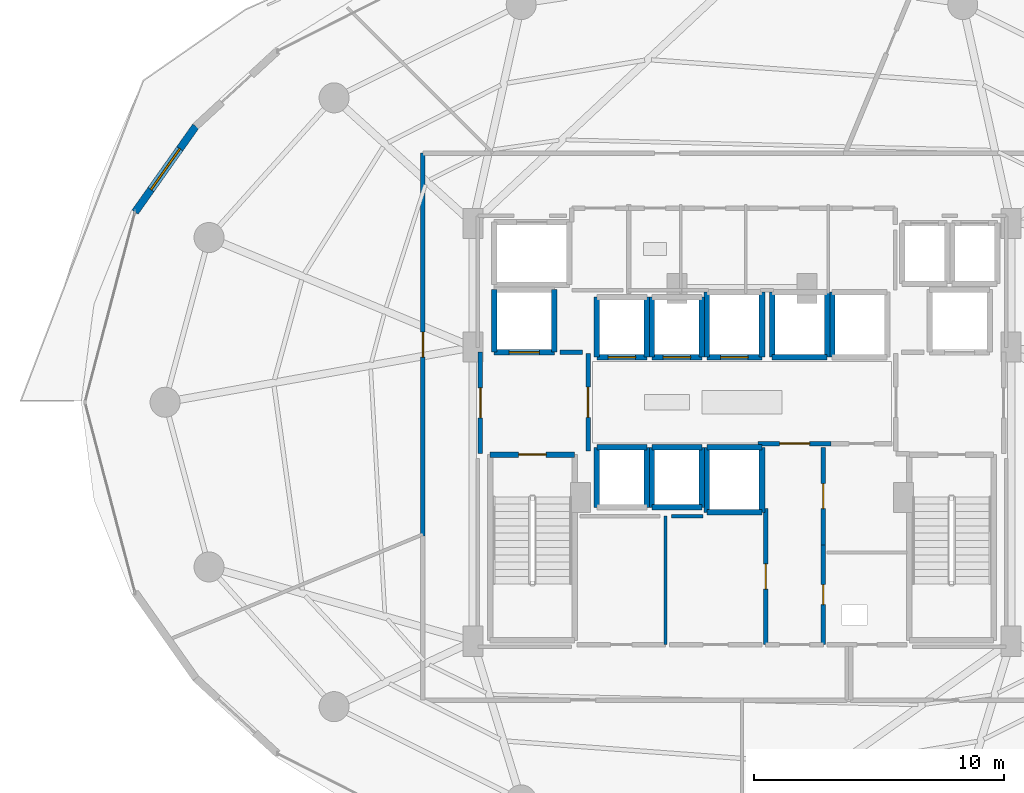
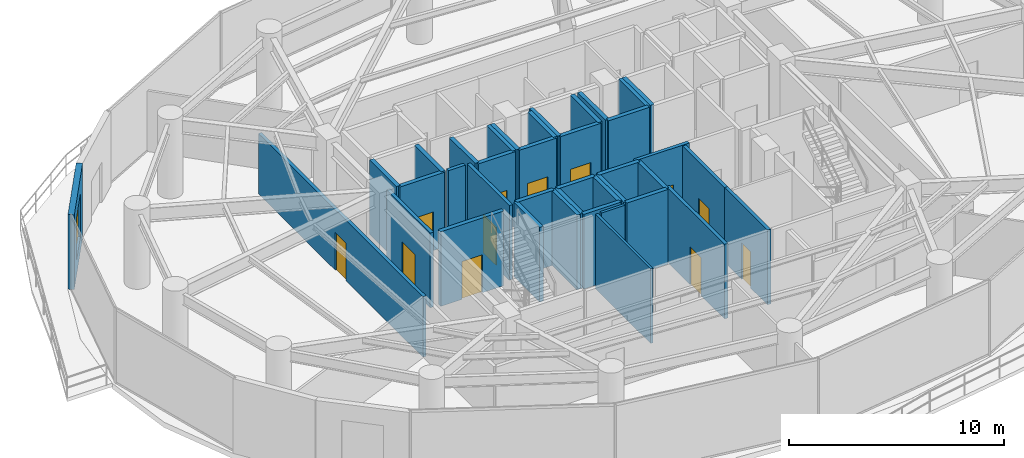
# One storey, part 20 of 27: 39 walls, 12 doors, 1 window, 13 openings.
"""IFC4 building model written with IfcOpenShell, lengths in metres."""

from ifc_helpers import new_model, si_unit, direction, frame, frame_2d, origin, place, context, subcontext, project, spatial, rectangle, extrude, material, layer, layer_set, type_object, element, fill, save


model = new_model("IFC4")

# Units and contexts
model_context = context("Model", 3, precision=1e-05, world=origin(), true_north=direction((0.0, 1.0)))
body_context = subcontext(model_context, "Body", "Model", "MODEL_VIEW")
ifc_project = project(units=[si_unit("LENGTHUNIT", "METRE"), si_unit("AREAUNIT", "SQUARE_METRE"), si_unit("VOLUMEUNIT", "CUBIC_METRE"), si_unit("PLANEANGLEUNIT", "RADIAN"), si_unit("MASSUNIT", "GRAM", prefix="KILO")], contexts=[model_context])

# Site, building, storey
site_placement = place(None, origin())
site = spatial("IfcSite", under=ifc_project, at=site_placement, CompositionType="ELEMENT")
building_placement = place(site_placement, origin())
building = spatial("IfcBuilding", under=site, at=building_placement, Name="Vorneva Point Tower", CompositionType="ELEMENT")
storey_placement = place(building_placement, frame((0.0, 0.0, 74.300048828125)))
storey = spatial("IfcBuildingStorey", under=building, at=storey_placement, Name="L19", CompositionType="ELEMENT", Elevation=74.300048828125)

# Wall, opening, door
ifc_material_1 = material(Name="Concrete B60 (C50/60)", Category="concrete")
ifc_layer_1 = layer(ifc_material_1, 0.5)
ifc_layer_set_1 = layer_set([ifc_layer_1], Name="Concrete B60 (C50/60)")
wall_type_1 = type_object("IfcWallType", Name="WL-CORE-500", PredefinedType="SHEAR", material=ifc_layer_set_1)
wall_1_placement = place(storey_placement, frame((28.10009765625, 28.0, 0.0), z_axis=(0.0, 0.0, 1.0), x_axis=(1.0, 0.0, 0.0)))
wall_1 = element("IfcWall", 1, at=wall_1_placement, inside=storey, type_object=wall_type_1, Name="L19 Lift FFL1 Shaft Wall -Y", PredefinedType="SHEAR", context=body_context, shape_type="SweptSolid", body=[
    extrude(rectangle(XDim=2.39990234375, YDim=0.219970703125, at=frame_2d((1.199951171875, 0.0))), origin(), (0.0, 0.0, 1.0), 4.239990234375),
])
opening_1_placement = place(wall_1_placement, frame((0.60009765625, 0.0, 0.0)))
opening_1 = element("IfcOpeningElement", 2, at=opening_1_placement, cuts=wall_1, Name="Opening LD-02", PredefinedType="OPENING", context=body_context, shape_type="SweptSolid", body=[
    extrude(rectangle(XDim=1.199951171875, YDim=2.199951171875, at=frame_2d((0.60009765625, 1.10009765625))), frame((0.0, 0.125, 0.0), z_axis=(0.0, -1.0, 0.0), x_axis=(1.0, 0.0, 0.0)), (0.0, 0.0, 1.0), 0.249755859375),
])
ifc_material_2 = material(Name="Brushed stainless steel S304", Category="steel")
door_type_1 = type_object("IfcDoorType", Name="LD-FIRE-1200", OperationType="SLIDING_TO_LEFT", PredefinedType="DOOR", material=ifc_material_2)
door_1_placement = place(opening_1_placement, origin())
door_1 = element("IfcDoor", 3, at=door_1_placement, inside=storey, type_object=door_type_1, Name="L19 Lift FFL1 Sliding Landing Door", OperationType="SLIDING_TO_LEFT", OverallHeight=2.199951171875, OverallWidth=1.199951171875, PredefinedType="DOOR", context=body_context, shape_type="SweptSolid", body=[
    extrude(rectangle(XDim=1.199951171875, YDim=2.199951171875, at=frame_2d((0.60009765625, 1.10009765625))), frame((0.0, 0.02490234375, 0.0), z_axis=(0.0, -1.0, 0.0), x_axis=(1.0, 0.0, 0.0)), (0.0, 0.0, 1.0), 0.050048828125),
])
fill(opening_1, door_1)

# Walls
for number, where, z_axis, x_axis, name in (
    (4, (30.5, 28.0, 0.0), (0.0, 0.0, 1.0), (0.0, 1.0, 0.0), "L19 Lift FFL1 Shaft Wall +X"),
    (5, (28.10009765625, 30.5, 0.0), (0.0, 0.0, 1.0), (0.0, -1.0, 0.0), "L19 Lift FFL1 Shaft Wall -X"),
):
    element("IfcWall", number, at=place(storey_placement, frame(where, z_axis=z_axis, x_axis=x_axis)), inside=storey, type_object=wall_type_1, Name=name, PredefinedType="SHEAR", context=body_context, shape_type="SweptSolid", body=[
        extrude(rectangle(XDim=2.5, YDim=0.219970703125, at=frame_2d((1.25, 0.0))), origin(), (0.0, 0.0, 1.0), 4.239990234375),
    ])

# Wall, opening, window
ifc_material_3 = material(Name="Precast concrete B50 (C40/50)", Category="concrete")
ifc_layer_2 = layer(ifc_material_3, 0.300048828125)
ifc_layer_set_2 = layer_set([ifc_layer_2], Name="Precast concrete B50 (C40/50)")
wall_type_2 = type_object("IfcWallType", Name="WL-EXT-300", PredefinedType="STANDARD", material=ifc_layer_set_2)
wall_2_placement = place(storey_placement, frame((16.173828125, 37.028076171875, 0.0), z_axis=(0.0, 0.0, 1.0), x_axis=(-0.57716435238, -0.81662801222, 0.0)))
wall_2 = element("IfcWall", 6, at=wall_2_placement, inside=storey, type_object=wall_type_2, Name="L19 Pale-Metal Facade Spandrel Wall 07.2", PredefinedType="STANDARD", context=body_context, shape_type="SweptSolid", body=[
    extrude(rectangle(XDim=4.202392578125, YDim=0.300048828125, at=frame_2d((2.10107421875, 0.0))), origin(), (0.0, 0.0, 1.0), 4.239990234375),
])
opening_2_placement = place(wall_2_placement, frame((1.101318359375, 0.0, 0.85009765625)))
opening_2 = element("IfcOpeningElement", 7, at=opening_2_placement, cuts=wall_2, Name="Opening W-07", PredefinedType="OPENING", context=body_context, shape_type="SweptSolid", body=[
    extrude(rectangle(XDim=2.0, YDim=2.449951171875, at=frame_2d((1.0, 1.22509765625))), frame((0.0, 0.1650390625, 0.0), z_axis=(0.0, -1.0, 0.0), x_axis=(1.0, 0.0, 0.0)), (0.0, 0.0, 1.0), 0.329833984375),
])
ifc_material_4 = material(Name="Double low-e laminated glass IGU", Category="glass")
window_type = type_object("IfcWindowType", Name="WN-SKY-2000", PartitioningType="SINGLE_PANEL", PredefinedType="WINDOW", material=ifc_material_4)
window_placement = place(opening_2_placement, origin())
window = element("IfcWindow", 8, at=window_placement, inside=storey, type_object=window_type, Name="L19 Facade Window 07", OverallHeight=2.449951171875, OverallWidth=2.0, PartitioningType="SINGLE_PANEL", PredefinedType="WINDOW", context=body_context, shape_type="SweptSolid", body=[
    extrude(rectangle(XDim=2.0, YDim=2.449951171875, at=frame_2d((1.0, 1.22509765625))), frame((0.0, 0.030029296875, 0.0), z_axis=(0.0, -1.0, 0.0), x_axis=(1.0, 0.0, 0.0)), (0.0, 0.0, 1.0), 0.06005859375),
])
fill(opening_2, window)

# Walls
ifc_material_5 = material(Name="Fire-rated acoustic gypsum stud partition", Category="gypsum")
ifc_layer_3 = layer(ifc_material_5, 0.125)
ifc_layer_set_3 = layer_set([ifc_layer_3], Name="Fire-rated acoustic gypsum stud partition")
wall_type_3 = type_object("IfcWallType", Name="WL-PART-125", PredefinedType="PARTITIONING", material=ifc_layer_set_3)
wall_3_placement = place(storey_placement, frame((34.949951171875, 16.320068359375, 0.0), z_axis=(0.0, 0.0, 1.0), x_axis=(0.0, 1.0, 0.0)))
element("IfcWall", 9, at=wall_3_placement, inside=storey, type_object=wall_type_3, Name="L19 Interior Partition 025", PredefinedType="PARTITIONING", context=body_context, shape_type="SweptSolid", body=[
    extrude(rectangle(XDim=5.1298828125, YDim=0.125, at=frame_2d((2.56494140625, 0.0))), origin(), (0.0, 0.0, 1.0), 4.239990234375),
])
ifc_layer_4 = layer(ifc_material_5, 0.139892578125)
ifc_layer_set_4 = layer_set([ifc_layer_4], Name="Fire-rated acoustic gypsum stud partition")
wall_type_4 = type_object("IfcWallType", Name="WL-PART-140", PredefinedType="PARTITIONING", material=ifc_layer_set_4)
wall_4_placement = place(storey_placement, frame((36.43896484375, 21.449951171875, 0.0), z_axis=(0.0, 0.0, 1.0), x_axis=(-1.0, 0.0, 0.0)))
element("IfcWall", 10, at=wall_4_placement, inside=storey, type_object=wall_type_4, Name="L19 Interior Closure Partition 055", PredefinedType="PARTITIONING", context=body_context, shape_type="SweptSolid", body=[
    extrude(rectangle(XDim=1.259033203125, YDim=0.139892578125, at=frame_2d((0.62939453125, 0.0))), origin(), (0.0, 0.0, 1.0), 4.239990234375),
])

# Wall, opening, door
ifc_material_6 = material(Name="Autoclaved aerated concrete blockwork", Category="masonry")
ifc_layer_5 = layer(ifc_material_6, 0.179931640625)
ifc_layer_set_5 = layer_set([ifc_layer_5], Name="Autoclaved aerated concrete blockwork")
wall_type_5 = type_object("IfcWallType", Name="WL-PART-180", PredefinedType="PARTITIONING", material=ifc_layer_set_5)
wall_5_placement = place(storey_placement, frame((31.85009765625, 24.044921875, 0.0), z_axis=(0.0, 0.0, 1.0), x_axis=(0.0, 1.0, 0.0)))
wall_5 = element("IfcWall", 11, at=wall_5_placement, inside=storey, type_object=wall_type_5, Name="L19 Interior Partition 001", PredefinedType="PARTITIONING", context=body_context, shape_type="SweptSolid", body=[
    extrude(rectangle(XDim=3.91015625, YDim=0.179931640625, at=frame_2d((1.955078125, 0.0))), origin(), (0.0, 0.0, 1.0), 4.239990234375),
])
opening_3_placement = place(wall_5_placement, frame((1.35498046875, 0.0, 0.0)))
opening_3 = element("IfcOpeningElement", 12, at=opening_3_placement, cuts=wall_5, Name="Opening FD-02", PredefinedType="OPENING", context=body_context, shape_type="SweptSolid", body=[
    extrude(rectangle(XDim=1.199951171875, YDim=2.14990234375, at=frame_2d((0.60009765625, 1.074951171875))), frame((0.0, 0.10498046875, 0.0), z_axis=(0.0, -1.0, 0.0), x_axis=(1.0, 0.0, 0.0)), (0.0, 0.0, 1.0), 0.209716796875),
])
ifc_material_7 = material(Name="Fire-rated powder-coated steel", Category="steel")
door_type_2 = type_object("IfcDoorType", Name="DR-FFL-1200", OperationType="NOTDEFINED", PredefinedType="DOOR", material=ifc_material_7)
door_2_placement = place(opening_3_placement, origin())
door_2 = element("IfcDoor", 13, at=door_2_placement, inside=storey, type_object=door_type_2, Name="L19 Door West Firefighting Lobby / Central Lift Lobby", OperationType="SINGLE_SWING_LEFT", OverallHeight=2.14990234375, OverallWidth=1.199951171875, PredefinedType="DOOR", context=body_context, shape_type="SweptSolid", body=[
    extrude(rectangle(XDim=1.199951171875, YDim=2.14990234375, at=frame_2d((0.60009765625, 1.074951171875))), frame((0.0, 0.02490234375, 0.0), z_axis=(0.0, -1.0, 0.0), x_axis=(1.0, 0.0, 0.0)), (0.0, 0.0, 1.0), 0.050048828125),
])
fill(opening_3, door_2)

wall_6_placement = place(storey_placement, frame((27.550048828125, 28.0, 0.0), z_axis=(0.0, 0.0, 1.0), x_axis=(0.0, -1.0, 0.0)))
wall_6 = element("IfcWall", 14, at=wall_6_placement, inside=storey, type_object=wall_type_5, Name="L19 Interior Partition 002", PredefinedType="PARTITIONING", context=body_context, shape_type="SweptSolid", body=[
    extrude(rectangle(XDim=4.050048828125, YDim=0.179931640625, at=frame_2d((2.02490234375, 0.0))), origin(), (0.0, 0.0, 1.0), 4.239990234375),
])
opening_4_placement = place(wall_6_placement, frame((1.425048828125, 0.0, 0.0)))
opening_4 = element("IfcOpeningElement", 15, at=opening_4_placement, cuts=wall_6, Name="Opening FD-02", PredefinedType="OPENING", context=body_context, shape_type="SweptSolid", body=[
    extrude(rectangle(XDim=1.199951171875, YDim=2.14990234375, at=frame_2d((0.60009765625, 1.074951171875))), frame((0.0, 0.10498046875, 0.0), z_axis=(0.0, -1.0, 0.0), x_axis=(1.0, 0.0, 0.0)), (0.0, 0.0, 1.0), 0.209716796875),
])
door_3_placement = place(opening_4_placement, origin())
door_3 = element("IfcDoor", 16, at=door_3_placement, inside=storey, type_object=door_type_2, Name="L19 Door West Firefighting Lobby / L19 Circulation Corridor", OperationType="SINGLE_SWING_RIGHT", OverallHeight=2.14990234375, OverallWidth=1.199951171875, PredefinedType="DOOR", context=body_context, shape_type="SweptSolid", body=[
    extrude(rectangle(XDim=1.199951171875, YDim=2.14990234375, at=frame_2d((0.60009765625, 1.074951171875))), frame((0.0, 0.02490234375, 0.0), z_axis=(0.0, -1.0, 0.0), x_axis=(1.0, 0.0, 0.0)), (0.0, 0.0, 1.0), 0.050048828125),
])
fill(opening_4, door_3)

wall_7_placement = place(storey_placement, frame((38.64501953125, 24.35009765625, 0.0), z_axis=(0.0, 0.0, 1.0), x_axis=(1.0, 0.0, 0.0)))
wall_7 = element("IfcWall", 17, at=wall_7_placement, inside=storey, type_object=wall_type_5, Name="L19 Interior Partition 009", PredefinedType="PARTITIONING", context=body_context, shape_type="SweptSolid", body=[
    extrude(rectangle(XDim=2.909912109375, YDim=0.179931640625, at=frame_2d((1.455078125, 0.0))), origin(), (0.0, 0.0, 1.0), 4.239990234375),
])
opening_5_placement = place(wall_7_placement, frame((0.85498046875, 0.0, 0.0)))
opening_5 = element("IfcOpeningElement", 18, at=opening_5_placement, cuts=wall_7, Name="Opening FD-02", PredefinedType="OPENING", context=body_context, shape_type="SweptSolid", body=[
    extrude(rectangle(XDim=1.199951171875, YDim=2.14990234375, at=frame_2d((0.60009765625, 1.074951171875))), frame((0.0, 0.10498046875, 0.0), z_axis=(0.0, -1.0, 0.0), x_axis=(1.0, 0.0, 0.0)), (0.0, 0.0, 1.0), 0.209716796875),
])
door_4_placement = place(opening_5_placement, origin())
door_4 = element("IfcDoor", 19, at=door_4_placement, inside=storey, type_object=door_type_2, Name="L19 Door Central Lift Lobby / Core Service Lobby", OperationType="SINGLE_SWING_RIGHT", OverallHeight=2.14990234375, OverallWidth=1.199951171875, PredefinedType="DOOR", context=body_context, shape_type="SweptSolid", body=[
    extrude(rectangle(XDim=1.199951171875, YDim=2.14990234375, at=frame_2d((0.60009765625, 1.074951171875))), frame((0.0, 0.02490234375, 0.0), z_axis=(0.0, -1.0, 0.0), x_axis=(1.0, 0.0, 0.0)), (0.0, 0.0, 1.0), 0.050048828125),
])
fill(opening_5, door_4)

wall_8_placement = place(storey_placement, frame((41.25, 16.320068359375, 0.0), z_axis=(0.0, 0.0, 1.0), x_axis=(0.0, 1.0, 0.0)))
wall_8 = element("IfcWall", 20, at=wall_8_placement, inside=storey, type_object=wall_type_5, Name="L19 Interior Partition 011", PredefinedType="PARTITIONING", context=body_context, shape_type="SweptSolid", body=[
    extrude(rectangle(XDim=3.98486328125, YDim=0.179931640625, at=frame_2d((1.992431640625, 0.0))), origin(), (0.0, 0.0, 1.0), 4.239990234375),
])
opening_6_placement = place(wall_8_placement, frame((1.592529296875, 0.0, 0.0)))
opening_6 = element("IfcOpeningElement", 21, at=opening_6_placement, cuts=wall_8, Name="Opening RD-01", PredefinedType="OPENING", context=body_context, shape_type="SweptSolid", body=[
    extrude(rectangle(XDim=0.800048828125, YDim=2.050048828125, at=frame_2d((0.39990234375, 1.02490234375))), frame((0.0, 0.10498046875, 0.0), z_axis=(0.0, -1.0, 0.0), x_axis=(1.0, 0.0, 0.0)), (0.0, 0.0, 1.0), 0.209716796875),
])
door_type_3 = type_object("IfcDoorType", Name="DR-RSR-800", OperationType="SINGLE_SWING_LEFT", PredefinedType="DOOR", material=ifc_material_7)
door_5_placement = place(opening_6_placement, origin())
door_5 = element("IfcDoor", 22, at=door_5_placement, inside=storey, type_object=door_type_3, Name="L19 Door Core Service Lobby / Electrical Riser", OperationType="SINGLE_SWING_RIGHT", OverallHeight=2.050048828125, OverallWidth=0.800048828125, PredefinedType="DOOR", context=body_context, shape_type="SweptSolid", body=[
    extrude(rectangle(XDim=0.800048828125, YDim=2.050048828125, at=frame_2d((0.39990234375, 1.02490234375))), frame((0.0, 0.02490234375, 0.0), z_axis=(0.0, -1.0, 0.0), x_axis=(1.0, 0.0, 0.0)), (0.0, 0.0, 1.0), 0.050048828125),
])
fill(opening_6, door_5)

wall_9_placement = place(storey_placement, frame((41.25, 20.304931640625, 0.0), z_axis=(0.0, 0.0, 1.0), x_axis=(0.0, 1.0, 0.0)))
wall_9 = element("IfcWall", 23, at=wall_9_placement, inside=storey, type_object=wall_type_5, Name="L19 Interior Partition 012", PredefinedType="PARTITIONING", context=body_context, shape_type="SweptSolid", body=[
    extrude(rectangle(XDim=3.89501953125, YDim=0.179931640625, at=frame_2d((1.947509765625, 0.0))), origin(), (0.0, 0.0, 1.0), 4.239990234375),
])
opening_7_placement = place(wall_9_placement, frame((1.447509765625, 0.0, 0.0)))
opening_7 = element("IfcOpeningElement", 24, at=opening_7_placement, cuts=wall_9, Name="Opening UD-01", PredefinedType="OPENING", context=body_context, shape_type="SweptSolid", body=[
    extrude(rectangle(XDim=1.0, YDim=2.14990234375, at=frame_2d((0.5, 1.074951171875))), frame((0.0, 0.10498046875, 0.0), z_axis=(0.0, -1.0, 0.0), x_axis=(1.0, 0.0, 0.0)), (0.0, 0.0, 1.0), 0.209716796875),
])
ifc_material_8 = material(Name="Engineered oak fire-rated door leaf", Category="wood")
door_type_4 = type_object("IfcDoorType", Name="DR-UNIT-1000", OperationType="NOTDEFINED", PredefinedType="DOOR", material=ifc_material_8)
door_6_placement = place(opening_7_placement, origin())
door_6 = element("IfcDoor", 25, at=door_6_placement, inside=storey, type_object=door_type_4, Name="L19 Door Core Service Lobby / Floor Management Office", OperationType="SINGLE_SWING_LEFT", OverallHeight=2.14990234375, OverallWidth=1.0, PredefinedType="DOOR", context=body_context, shape_type="SweptSolid", body=[
    extrude(rectangle(XDim=1.0, YDim=2.14990234375, at=frame_2d((0.5, 1.074951171875))), frame((0.0, 0.02490234375, 0.0), z_axis=(0.0, -1.0, 0.0), x_axis=(1.0, 0.0, 0.0)), (0.0, 0.0, 1.0), 0.050048828125),
])
fill(opening_7, door_6)

wall_10_placement = place(storey_placement, frame((38.949951171875, 21.7548828125, 0.0), z_axis=(0.0, 0.0, 1.0), x_axis=(0.0, -1.0, 0.0)))
wall_10 = element("IfcWall", 26, at=wall_10_placement, inside=storey, type_object=wall_type_5, Name="L19 Interior Partition 013", PredefinedType="PARTITIONING", context=body_context, shape_type="SweptSolid", body=[
    extrude(rectangle(XDim=5.434814453125, YDim=0.179931640625, at=frame_2d((2.71728515625, 0.0))), origin(), (0.0, 0.0, 1.0), 4.239990234375),
])
opening_8_placement = place(wall_10_placement, frame((2.217529296875, 0.0, 0.0)))
opening_8 = element("IfcOpeningElement", 27, at=opening_8_placement, cuts=wall_10, Name="Opening UD-01", PredefinedType="OPENING", context=body_context, shape_type="SweptSolid", body=[
    extrude(rectangle(XDim=1.0, YDim=2.14990234375, at=frame_2d((0.5, 1.074951171875))), frame((0.0, 0.10498046875, 0.0), z_axis=(0.0, -1.0, 0.0), x_axis=(1.0, 0.0, 0.0)), (0.0, 0.0, 1.0), 0.209716796875),
])
door_7_placement = place(opening_8_placement, origin())
door_7 = element("IfcDoor", 28, at=door_7_placement, inside=storey, type_object=door_type_4, Name="L19 Door Core Service Lobby / Staff Service Pantry", OperationType="SINGLE_SWING_RIGHT", OverallHeight=2.14990234375, OverallWidth=1.0, PredefinedType="DOOR", context=body_context, shape_type="SweptSolid", body=[
    extrude(rectangle(XDim=1.0, YDim=2.14990234375, at=frame_2d((0.5, 1.074951171875))), frame((0.0, 0.02490234375, 0.0), z_axis=(0.0, -1.0, 0.0), x_axis=(1.0, 0.0, 0.0)), (0.0, 0.0, 1.0), 0.050048828125),
])
fill(opening_8, door_7)

wall_11_placement = place(storey_placement, frame((25.25, 35.949951171875, 0.0), z_axis=(0.0, 0.0, 1.0), x_axis=(0.0, -1.0, 0.0)))
wall_11 = element("IfcWall", 29, at=wall_11_placement, inside=storey, type_object=wall_type_5, Name="L19 Interior Partition 032", PredefinedType="PARTITIONING", context=body_context, shape_type="SweptSolid", body=[
    extrude(rectangle(XDim=15.2958984375, YDim=0.179931640625, at=frame_2d((7.64794921875, 0.0))), origin(), (0.0, 0.0, 1.0), 3.431884765625),
])
opening_9_placement = place(wall_11_placement, frame((7.14794921875, 0.0, 0.0)))
opening_9 = element("IfcOpeningElement", 30, at=opening_9_placement, cuts=wall_11, Name="Opening UD-01", PredefinedType="OPENING", context=body_context, shape_type="SweptSolid", body=[
    extrude(rectangle(XDim=1.0, YDim=2.14990234375, at=frame_2d((0.5, 1.074951171875))), frame((0.0, 0.10498046875, 0.0), z_axis=(0.0, -1.0, 0.0), x_axis=(1.0, 0.0, 0.0)), (0.0, 0.0, 1.0), 0.209716796875),
])
door_8_placement = place(opening_9_placement, origin())
door_8 = element("IfcDoor", 31, at=door_8_placement, inside=storey, type_object=door_type_4, Name="L19 Door L19 Circulation Corridor / Wellness Spa and Fitness Hall L19", OperationType="SINGLE_SWING_LEFT", OverallHeight=2.14990234375, OverallWidth=1.0, PredefinedType="DOOR", context=body_context, shape_type="SweptSolid", body=[
    extrude(rectangle(XDim=1.0, YDim=2.14990234375, at=frame_2d((0.5, 1.074951171875))), frame((0.0, 0.02490234375, 0.0), z_axis=(0.0, -1.0, 0.0), x_axis=(1.0, 0.0, 0.0)), (0.0, 0.0, 1.0), 0.050048828125),
])
fill(opening_9, door_8)

# Wall
wall_12_placement = place(storey_placement, frame((31.635009765625, 28.0, 0.0), z_axis=(0.0, 0.0, 1.0), x_axis=(-1.0, 0.0, 0.0)))
element("IfcWall", 32, at=wall_12_placement, inside=storey, type_object=wall_type_5, Name="L19 Interior Closure Partition 047", PredefinedType="PARTITIONING", context=body_context, shape_type="SweptSolid", body=[
    extrude(rectangle(XDim=0.9150390625, YDim=0.179931640625, at=frame_2d((0.45751953125, 0.0))), origin(), (0.0, 0.0, 1.0), 4.239990234375),
])

# Wall, opening, door
ifc_material_9 = material(Name="Concrete B50 (C40/50)", Category="concrete")
ifc_layer_6 = layer(ifc_material_9, 0.219970703125)
ifc_layer_set_6 = layer_set([ifc_layer_6], Name="Concrete B50 (C40/50)")
wall_type_6 = type_object("IfcWallType", Name="WL-SHFT-220", PredefinedType="SOLIDWALL", material=ifc_layer_set_6)
wall_13_placement = place(storey_placement, frame((27.93994140625, 23.909912109375, 0.0), z_axis=(0.0, 0.0, 1.0), x_axis=(1.0, 0.0, 0.0)))
wall_13 = element("IfcWall", 33, at=wall_13_placement, inside=storey, type_object=wall_type_6, Name="L19 Exit Stair ST1 Shaft Wall near", PredefinedType="SOLIDWALL", context=body_context, shape_type="SweptSolid", body=[
    extrude(rectangle(XDim=3.3701171875, YDim=0.219970703125, at=frame_2d((1.68505859375, 0.0))), origin(), (0.0, 0.0, 1.0), 4.239990234375),
])
opening_10_placement = place(wall_13_placement, frame((1.135009765625, 0.0, 0.0)))
opening_10 = element("IfcOpeningElement", 34, at=opening_10_placement, cuts=wall_13, Name="Opening FD-01", PredefinedType="OPENING", context=body_context, shape_type="SweptSolid", body=[
    extrude(rectangle(XDim=1.10009765625, YDim=2.14990234375, at=frame_2d((0.550048828125, 1.074951171875))), frame((0.0, 0.125, 0.0), z_axis=(0.0, -1.0, 0.0), x_axis=(1.0, 0.0, 0.0)), (0.0, 0.0, 1.0), 0.249755859375),
])
door_type_5 = type_object("IfcDoorType", Name="DR-STAIR-1100", OperationType="NOTDEFINED", PredefinedType="DOOR", material=ifc_material_7)
door_9_placement = place(opening_10_placement, origin())
door_9 = element("IfcDoor", 35, at=door_9_placement, inside=storey, type_object=door_type_5, Name="L19 Exit Stair ST1 Fire Door", OperationType="SINGLE_SWING_LEFT", OverallHeight=2.14990234375, OverallWidth=1.10009765625, PredefinedType="DOOR", context=body_context, shape_type="SweptSolid", body=[
    extrude(rectangle(XDim=1.10009765625, YDim=2.14990234375, at=frame_2d((0.550048828125, 1.074951171875))), frame((0.0, 0.02490234375, 0.0), z_axis=(0.0, -1.0, 0.0), x_axis=(1.0, 0.0, 0.0)), (0.0, 0.0, 1.0), 0.050048828125),
])
fill(opening_10, door_9)

wall_14_placement = place(storey_placement, frame((32.199951171875, 27.800048828125, 0.0), z_axis=(0.0, 0.0, 1.0), x_axis=(1.0, 0.0, 0.0)))
wall_14 = element("IfcWall", 36, at=wall_14_placement, inside=storey, type_object=wall_type_6, Name="L19 Lift PL1 Shaft Wall -Y", PredefinedType="SOLIDWALL", context=body_context, shape_type="SweptSolid", body=[
    extrude(rectangle(XDim=2.0, YDim=0.219970703125, at=frame_2d((1.0, 0.0))), origin(), (0.0, 0.0, 1.0), 4.239990234375),
])
opening_11_placement = place(wall_14_placement, frame((0.449951171875, 0.0, 0.0)))
opening_11 = element("IfcOpeningElement", 37, at=opening_11_placement, cuts=wall_14, Name="Opening LD-01", PredefinedType="OPENING", context=body_context, shape_type="SweptSolid", body=[
    extrude(rectangle(XDim=1.10009765625, YDim=2.199951171875, at=frame_2d((0.550048828125, 1.10009765625))), frame((0.0, 0.125, 0.0), z_axis=(0.0, -1.0, 0.0), x_axis=(1.0, 0.0, 0.0)), (0.0, 0.0, 1.0), 0.249755859375),
])
door_type_6 = type_object("IfcDoorType", Name="LD-PASS-1100", OperationType="SLIDING_TO_LEFT", PredefinedType="DOOR", material=ifc_material_2)
door_10_placement = place(opening_11_placement, origin())
door_10 = element("IfcDoor", 38, at=door_10_placement, inside=storey, type_object=door_type_6, Name="L19 Lift PL1 Sliding Landing Door", OperationType="SLIDING_TO_LEFT", OverallHeight=2.199951171875, OverallWidth=1.10009765625, PredefinedType="DOOR", context=body_context, shape_type="SweptSolid", body=[
    extrude(rectangle(XDim=1.10009765625, YDim=2.199951171875, at=frame_2d((0.550048828125, 1.10009765625))), frame((0.0, 0.02490234375, 0.0), z_axis=(0.0, -1.0, 0.0), x_axis=(1.0, 0.0, 0.0)), (0.0, 0.0, 1.0), 0.050048828125),
])
fill(opening_11, door_10)

# Walls
for number, where, z_axis, x_axis, name in (
    (39, (34.199951171875, 27.800048828125, 0.0), (0.0, 0.0, 1.0), (0.0, 1.0, 0.0), "L19 Lift PL1 Shaft Wall +X"),
    (40, (32.199951171875, 30.199951171875, 0.0), (0.0, 0.0, 1.0), (0.0, -1.0, 0.0), "L19 Lift PL1 Shaft Wall -X"),
):
    element("IfcWall", number, at=place(storey_placement, frame(where, z_axis=z_axis, x_axis=x_axis)), inside=storey, type_object=wall_type_6, Name=name, PredefinedType="SOLIDWALL", context=body_context, shape_type="SweptSolid", body=[
        extrude(rectangle(XDim=2.39990234375, YDim=0.219970703125, at=frame_2d((1.199951171875, 0.0))), origin(), (0.0, 0.0, 1.0), 4.239990234375),
    ])

# Wall, opening, door
wall_15_placement = place(storey_placement, frame((34.39990234375, 27.800048828125, 0.0), z_axis=(0.0, 0.0, 1.0), x_axis=(1.0, 0.0, 0.0)))
wall_15 = element("IfcWall", 41, at=wall_15_placement, inside=storey, type_object=wall_type_6, Name="L19 Lift PL2 Shaft Wall -Y", PredefinedType="SOLIDWALL", context=body_context, shape_type="SweptSolid", body=[
    extrude(rectangle(XDim=2.0, YDim=0.219970703125, at=frame_2d((1.0, 0.0))), origin(), (0.0, 0.0, 1.0), 4.239990234375),
])
opening_12_placement = place(wall_15_placement, frame((0.449951171875, 0.0, 0.0)))
opening_12 = element("IfcOpeningElement", 42, at=opening_12_placement, cuts=wall_15, Name="Opening LD-01", PredefinedType="OPENING", context=body_context, shape_type="SweptSolid", body=[
    extrude(rectangle(XDim=1.10009765625, YDim=2.199951171875, at=frame_2d((0.550048828125, 1.10009765625))), frame((0.0, 0.125, 0.0), z_axis=(0.0, -1.0, 0.0), x_axis=(1.0, 0.0, 0.0)), (0.0, 0.0, 1.0), 0.249755859375),
])
door_11_placement = place(opening_12_placement, origin())
door_11 = element("IfcDoor", 43, at=door_11_placement, inside=storey, type_object=door_type_6, Name="L19 Lift PL2 Sliding Landing Door", OperationType="SLIDING_TO_LEFT", OverallHeight=2.199951171875, OverallWidth=1.10009765625, PredefinedType="DOOR", context=body_context, shape_type="SweptSolid", body=[
    extrude(rectangle(XDim=1.10009765625, YDim=2.199951171875, at=frame_2d((0.550048828125, 1.10009765625))), frame((0.0, 0.02490234375, 0.0), z_axis=(0.0, -1.0, 0.0), x_axis=(1.0, 0.0, 0.0)), (0.0, 0.0, 1.0), 0.050048828125),
])
fill(opening_12, door_11)

# Walls
for number, where, z_axis, x_axis, name in (
    (44, (36.39990234375, 27.800048828125, 0.0), (0.0, 0.0, 1.0), (0.0, 1.0, 0.0), "L19 Lift PL2 Shaft Wall +X"),
    (45, (34.39990234375, 30.199951171875, 0.0), (0.0, 0.0, 1.0), (0.0, -1.0, 0.0), "L19 Lift PL2 Shaft Wall -X"),
):
    element("IfcWall", number, at=place(storey_placement, frame(where, z_axis=z_axis, x_axis=x_axis)), inside=storey, type_object=wall_type_6, Name=name, PredefinedType="SOLIDWALL", context=body_context, shape_type="SweptSolid", body=[
        extrude(rectangle(XDim=2.39990234375, YDim=0.219970703125, at=frame_2d((1.199951171875, 0.0))), origin(), (0.0, 0.0, 1.0), 4.239990234375),
    ])

# Wall, opening, door
wall_16_placement = place(storey_placement, frame((36.60009765625, 27.800048828125, 0.0), z_axis=(0.0, 0.0, 1.0), x_axis=(1.0, 0.0, 0.0)))
wall_16 = element("IfcWall", 46, at=wall_16_placement, inside=storey, type_object=wall_type_6, Name="L19 Lift PL3 Shaft Wall -Y", PredefinedType="SOLIDWALL", context=body_context, shape_type="SweptSolid", body=[
    extrude(rectangle(XDim=2.199951171875, YDim=0.219970703125, at=frame_2d((1.10009765625, 0.0))), origin(), (0.0, 0.0, 1.0), 4.239990234375),
])
opening_13_placement = place(wall_16_placement, frame((0.550048828125, 0.0, 0.0)))
opening_13 = element("IfcOpeningElement", 47, at=opening_13_placement, cuts=wall_16, Name="Opening LD-01", PredefinedType="OPENING", context=body_context, shape_type="SweptSolid", body=[
    extrude(rectangle(XDim=1.10009765625, YDim=2.199951171875, at=frame_2d((0.550048828125, 1.10009765625))), frame((0.0, 0.125, 0.0), z_axis=(0.0, -1.0, 0.0), x_axis=(1.0, 0.0, 0.0)), (0.0, 0.0, 1.0), 0.249755859375),
])
door_12_placement = place(opening_13_placement, origin())
door_12 = element("IfcDoor", 48, at=door_12_placement, inside=storey, type_object=door_type_6, Name="L19 Lift PL3 Sliding Landing Door", OperationType="SLIDING_TO_LEFT", OverallHeight=2.199951171875, OverallWidth=1.10009765625, PredefinedType="DOOR", context=body_context, shape_type="SweptSolid", body=[
    extrude(rectangle(XDim=1.10009765625, YDim=2.199951171875, at=frame_2d((0.550048828125, 1.10009765625))), frame((0.0, 0.02490234375, 0.0), z_axis=(0.0, -1.0, 0.0), x_axis=(1.0, 0.0, 0.0)), (0.0, 0.0, 1.0), 0.050048828125),
])
fill(opening_13, door_12)

# Walls
for number, where, z_axis, x_axis, name in (
    (49, (38.800048828125, 27.800048828125, 0.0), (0.0, 0.0, 1.0), (0.0, 1.0, 0.0), "L19 Lift PL3 Shaft Wall +X"),
    (50, (36.60009765625, 30.39990234375, 0.0), (0.0, 0.0, 1.0), (0.0, -1.0, 0.0), "L19 Lift PL3 Shaft Wall -X"),
):
    element("IfcWall", number, at=place(storey_placement, frame(where, z_axis=z_axis, x_axis=x_axis)), inside=storey, type_object=wall_type_6, Name=name, PredefinedType="SOLIDWALL", context=body_context, shape_type="SweptSolid", body=[
        extrude(rectangle(XDim=2.599853515625, YDim=0.219970703125, at=frame_2d((1.2998046875, 0.0))), origin(), (0.0, 0.0, 1.0), 4.239990234375),
    ])
wall_17_placement = place(storey_placement, frame((34.199951171875, 21.800048828125, 0.0), z_axis=(0.0, 0.0, 1.0), x_axis=(0.0, 1.0, 0.0)))
element("IfcWall", 51, at=wall_17_placement, inside=storey, type_object=wall_type_6, Name="L19 Lift PL4 Shaft Wall +X", PredefinedType="SOLIDWALL", context=body_context, shape_type="SweptSolid", body=[
    extrude(rectangle(XDim=2.39990234375, YDim=0.219970703125, at=frame_2d((1.199951171875, 0.0))), origin(), (0.0, 0.0, 1.0), 4.239990234375),
])
wall_18_placement = place(storey_placement, frame((34.199951171875, 24.199951171875, 0.0), z_axis=(0.0, 0.0, 1.0), x_axis=(-1.0, 0.0, 0.0)))
element("IfcWall", 52, at=wall_18_placement, inside=storey, type_object=wall_type_6, Name="L19 Lift PL4 Shaft Wall +Y", PredefinedType="SOLIDWALL", context=body_context, shape_type="SweptSolid", body=[
    extrude(rectangle(XDim=2.0, YDim=0.219970703125, at=frame_2d((1.0, 0.0))), origin(), (0.0, 0.0, 1.0), 4.239990234375),
])
wall_19_placement = place(storey_placement, frame((32.199951171875, 24.199951171875, 0.0), z_axis=(0.0, 0.0, 1.0), x_axis=(0.0, -1.0, 0.0)))
element("IfcWall", 53, at=wall_19_placement, inside=storey, type_object=wall_type_6, Name="L19 Lift PL4 Shaft Wall -X", PredefinedType="SOLIDWALL", context=body_context, shape_type="SweptSolid", body=[
    extrude(rectangle(XDim=2.39990234375, YDim=0.219970703125, at=frame_2d((1.199951171875, 0.0))), origin(), (0.0, 0.0, 1.0), 4.239990234375),
])
wall_20_placement = place(storey_placement, frame((34.39990234375, 21.800048828125, 0.0), z_axis=(0.0, 0.0, 1.0), x_axis=(1.0, 0.0, 0.0)))
element("IfcWall", 54, at=wall_20_placement, inside=storey, type_object=wall_type_6, Name="L19 Lift PL5 Shaft Wall -Y", PredefinedType="SOLIDWALL", context=body_context, shape_type="SweptSolid", body=[
    extrude(rectangle(XDim=2.0, YDim=0.219970703125, at=frame_2d((1.0, 0.0))), origin(), (0.0, 0.0, 1.0), 4.239990234375),
])
wall_21_placement = place(storey_placement, frame((36.39990234375, 21.800048828125, 0.0), z_axis=(0.0, 0.0, 1.0), x_axis=(0.0, 1.0, 0.0)))
element("IfcWall", 55, at=wall_21_placement, inside=storey, type_object=wall_type_6, Name="L19 Lift PL5 Shaft Wall +X", PredefinedType="SOLIDWALL", context=body_context, shape_type="SweptSolid", body=[
    extrude(rectangle(XDim=2.39990234375, YDim=0.219970703125, at=frame_2d((1.199951171875, 0.0))), origin(), (0.0, 0.0, 1.0), 4.239990234375),
])
wall_22_placement = place(storey_placement, frame((36.39990234375, 24.199951171875, 0.0), z_axis=(0.0, 0.0, 1.0), x_axis=(-1.0, 0.0, 0.0)))
element("IfcWall", 56, at=wall_22_placement, inside=storey, type_object=wall_type_6, Name="L19 Lift PL5 Shaft Wall +Y", PredefinedType="SOLIDWALL", context=body_context, shape_type="SweptSolid", body=[
    extrude(rectangle(XDim=2.0, YDim=0.219970703125, at=frame_2d((1.0, 0.0))), origin(), (0.0, 0.0, 1.0), 4.239990234375),
])
wall_23_placement = place(storey_placement, frame((34.39990234375, 24.199951171875, 0.0), z_axis=(0.0, 0.0, 1.0), x_axis=(0.0, -1.0, 0.0)))
element("IfcWall", 57, at=wall_23_placement, inside=storey, type_object=wall_type_6, Name="L19 Lift PL5 Shaft Wall -X", PredefinedType="SOLIDWALL", context=body_context, shape_type="SweptSolid", body=[
    extrude(rectangle(XDim=2.39990234375, YDim=0.219970703125, at=frame_2d((1.199951171875, 0.0))), origin(), (0.0, 0.0, 1.0), 4.239990234375),
])
wall_24_placement = place(storey_placement, frame((36.60009765625, 21.60009765625, 0.0), z_axis=(0.0, 0.0, 1.0), x_axis=(1.0, 0.0, 0.0)))
element("IfcWall", 58, at=wall_24_placement, inside=storey, type_object=wall_type_6, Name="L19 Lift PL6 Shaft Wall -Y", PredefinedType="SOLIDWALL", context=body_context, shape_type="SweptSolid", body=[
    extrude(rectangle(XDim=2.199951171875, YDim=0.219970703125, at=frame_2d((1.10009765625, 0.0))), origin(), (0.0, 0.0, 1.0), 4.239990234375),
])
wall_25_placement = place(storey_placement, frame((38.800048828125, 21.60009765625, 0.0), z_axis=(0.0, 0.0, 1.0), x_axis=(0.0, 1.0, 0.0)))
element("IfcWall", 59, at=wall_25_placement, inside=storey, type_object=wall_type_6, Name="L19 Lift PL6 Shaft Wall +X", PredefinedType="SOLIDWALL", context=body_context, shape_type="SweptSolid", body=[
    extrude(rectangle(XDim=2.599853515625, YDim=0.219970703125, at=frame_2d((1.2998046875, 0.0))), origin(), (0.0, 0.0, 1.0), 4.239990234375),
])
wall_26_placement = place(storey_placement, frame((38.800048828125, 24.199951171875, 0.0), z_axis=(0.0, 0.0, 1.0), x_axis=(-1.0, 0.0, 0.0)))
element("IfcWall", 60, at=wall_26_placement, inside=storey, type_object=wall_type_6, Name="L19 Lift PL6 Shaft Wall +Y", PredefinedType="SOLIDWALL", context=body_context, shape_type="SweptSolid", body=[
    extrude(rectangle(XDim=2.199951171875, YDim=0.219970703125, at=frame_2d((1.10009765625, 0.0))), origin(), (0.0, 0.0, 1.0), 4.239990234375),
])
wall_27_placement = place(storey_placement, frame((36.60009765625, 24.199951171875, 0.0), z_axis=(0.0, 0.0, 1.0), x_axis=(0.0, -1.0, 0.0)))
element("IfcWall", 61, at=wall_27_placement, inside=storey, type_object=wall_type_6, Name="L19 Lift PL6 Shaft Wall -X", PredefinedType="SOLIDWALL", context=body_context, shape_type="SweptSolid", body=[
    extrude(rectangle(XDim=2.599853515625, YDim=0.219970703125, at=frame_2d((1.2998046875, 0.0))), origin(), (0.0, 0.0, 1.0), 4.239990234375),
])
wall_28_placement = place(storey_placement, frame((39.199951171875, 27.800048828125, 0.0), z_axis=(0.0, 0.0, 1.0), x_axis=(1.0, 0.0, 0.0)))
element("IfcWall", 62, at=wall_28_placement, inside=storey, type_object=wall_type_6, Name="L19 Lift PL7 Shaft Wall -Y", PredefinedType="SOLIDWALL", context=body_context, shape_type="SweptSolid", body=[
    extrude(rectangle(XDim=2.199951171875, YDim=0.219970703125, at=frame_2d((1.10009765625, 0.0))), origin(), (0.0, 0.0, 1.0), 4.239990234375),
])
for number, where, z_axis, x_axis, name in (
    (63, (41.39990234375, 27.800048828125, 0.0), (0.0, 0.0, 1.0), (0.0, 1.0, 0.0), "L19 Lift PL7 Shaft Wall +X"),
    (64, (39.199951171875, 30.39990234375, 0.0), (0.0, 0.0, 1.0), (0.0, -1.0, 0.0), "L19 Lift PL7 Shaft Wall -X"),
    (65, (41.60009765625, 30.39990234375, 0.0), (0.0, 0.0, 1.0), (0.0, -1.0, 0.0), "L19 Lift PL8 Shaft Wall -X"),
):
    element("IfcWall", number, at=place(storey_placement, frame(where, z_axis=z_axis, x_axis=x_axis)), inside=storey, type_object=wall_type_6, Name=name, PredefinedType="SOLIDWALL", context=body_context, shape_type="SweptSolid", body=[
        extrude(rectangle(XDim=2.599853515625, YDim=0.219970703125, at=frame_2d((1.2998046875, 0.0))), origin(), (0.0, 0.0, 1.0), 4.239990234375),
    ])

save(model, "model.ifc")
